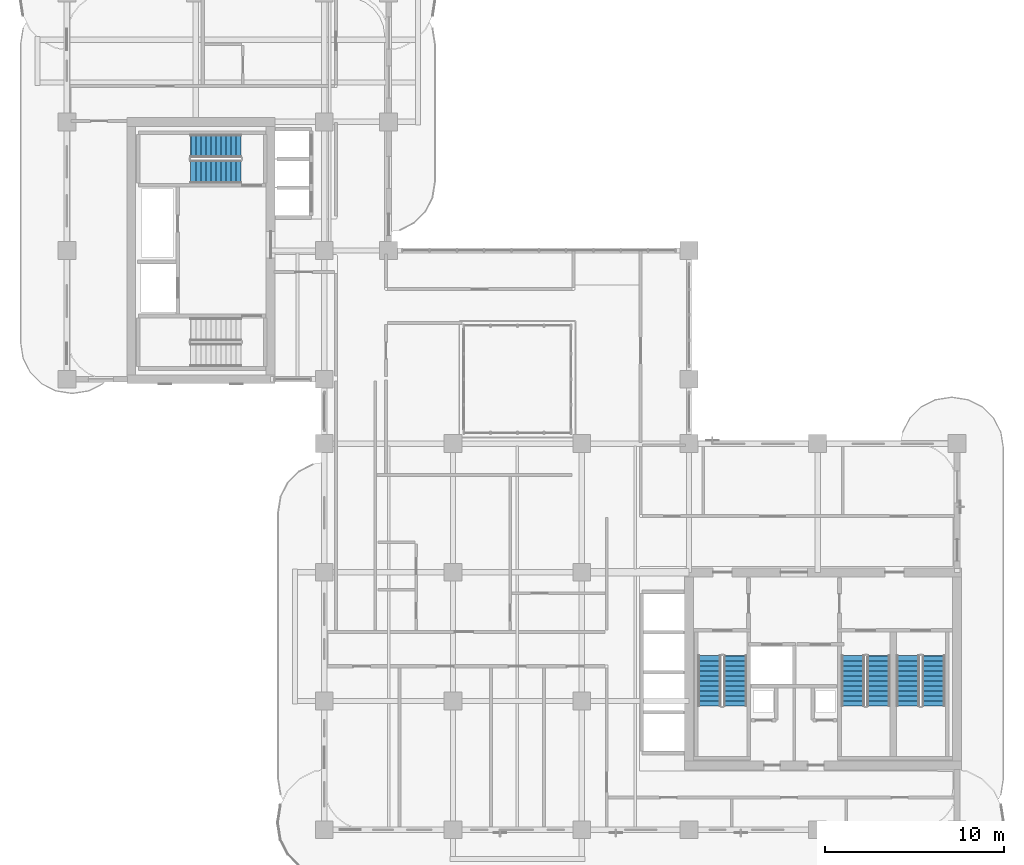
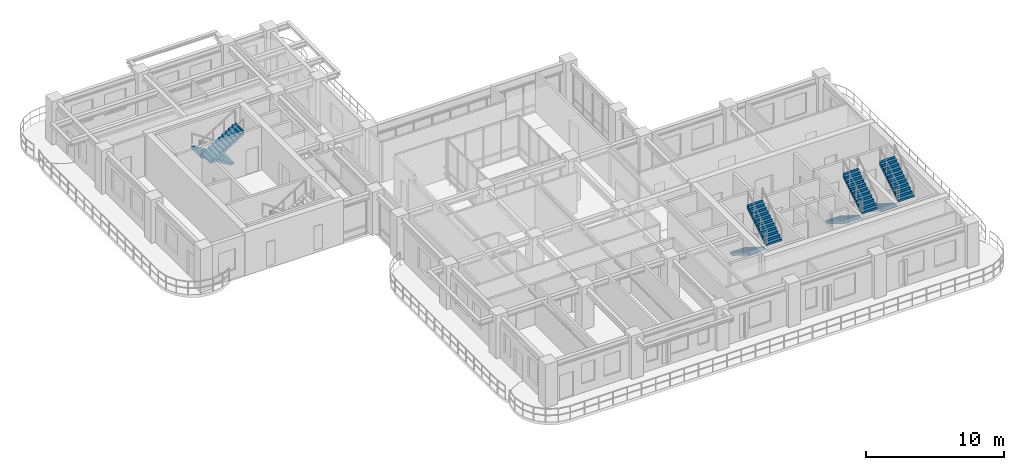
# One storey, part 16 of 21: 8 stair flights, 4 elements without a shape of their own.
"""IFC4 building model written with IfcOpenShell, lengths in metres."""

from ifc_helpers import new_model, si_unit, derived_unit, direction, frame, origin, place, context, subcontext, project, spatial, polyline, outline, extrude, source, transform, mapped, material, layer, layer_set, type_object, element, aggregate, save


model = new_model("IFC4")

# Units and contexts
model_context = context("Model", 3, precision=1e-05, world=origin(), true_north=direction((0.0, 1.0)))
body_context = subcontext(model_context, "Body", "Model", "MODEL_VIEW")
ifc_project = project(units=[si_unit("LENGTHUNIT", "METRE"), si_unit("AREAUNIT", "SQUARE_METRE"), si_unit("VOLUMEUNIT", "CUBIC_METRE"), si_unit("PLANEANGLEUNIT", "RADIAN"), si_unit("MASSUNIT", "GRAM", prefix="KILO"), si_unit("THERMODYNAMICTEMPERATUREUNIT", "KELVIN"), si_unit("POWERUNIT", "WATT"), derived_unit("THERMALTRANSMITTANCEUNIT", [(si_unit("POWERUNIT", "WATT"), 1), (si_unit("AREAUNIT", "SQUARE_METRE"), -1), (si_unit("THERMODYNAMICTEMPERATUREUNIT", "KELVIN"), -1)])], contexts=[model_context])

# Site, building, storey
site_placement = place(None, origin())
site = spatial("IfcSite", under=ifc_project, at=site_placement, CompositionType="ELEMENT")
building_placement = place(site_placement, origin())
building = spatial("IfcBuilding", under=site, at=building_placement, Name="Zahravan Archway Hotel and Residences", CompositionType="ELEMENT")
storey_placement = place(building_placement, frame((0.0, 0.0, 169.550048828125)))
storey = spatial("IfcBuildingStorey", under=building, at=storey_placement, Name="L42", CompositionType="ELEMENT", Elevation=169.550048828125)

# Stair, stair flights
ifc_material = material(Name="Concrete C50/60", Category="concrete")
stair_type = type_object("IfcStairType", Name="STR-CORE-1300", PredefinedType="HALF_TURN_STAIR", material=ifc_material)
stair_1_placement = place(storey_placement, origin())
stair_1 = element("IfcStair", 1, at=stair_1_placement, inside=storey, type_object=stair_type, Name="L42 Core A Exit Stair 1", PredefinedType="HALF_TURN_STAIR")
ifc_layer = layer(ifc_material, 0.199951171875, Name="Concrete C50/60", Category="concrete")
ifc_layer_set = layer_set([ifc_layer], Name="Concrete C50/60")
stair_flight_type = type_object("IfcStairFlightType", Name="SFL-CORE-1300", PredefinedType="STRAIGHT", material=ifc_layer_set)
shared_shape = source(origin(), body_context, "Body", "SweptSolid", [
    extrude(outline(polyline([(-0.01611328125, 0.0), (-0.01611328125, 0.175048828125), (0.280029296875, 0.175048828125), (0.280029296875, 0.35009765625), (0.56005859375, 0.35009765625), (0.56005859375, 0.52490234375), (0.840087890625, 0.52490234375), (0.840087890625, 0.699951171875), (1.1201171875, 0.699951171875), (1.1201171875, 0.875), (1.39990234375, 0.875), (1.39990234375, 1.050048828125), (1.679931640625, 1.050048828125), (1.679931640625, 1.22509765625), (1.9599609375, 1.22509765625), (1.9599609375, 1.39990234375), (2.239990234375, 1.39990234375), (2.239990234375, 1.574951171875), (2.52001953125, 1.574951171875), (2.52001953125, 1.75), (2.800048828125, 1.75), (2.800048828125, 1.925048828125), (2.816162109375, 1.925048828125), (2.816162109375, 1.5732421875), (0.28271484375, 0.0), (-0.01611328125, 0.0)])), frame((0.0, 0.64990234375, 0.0), z_axis=(0.0, -1.0, 0.0), x_axis=(1.0, 0.0, 0.0)), (0.0, 0.0, 1.0), 1.300048828125),
])
stair_flight_1_placement = place(storey_placement, frame((35.949951171875, 9.72998046875, 0.0), z_axis=(0.0, 0.0, 1.0), x_axis=(0.0, -1.0, 0.0)))
stair_flight_1 = element("IfcStairFlight", 2, at=stair_flight_1_placement, type_object=stair_flight_type, Name="ST-A1 flight 1", NumberOfRisers=11, NumberOfTreads=10, PredefinedType="STRAIGHT", RiserHeight=0.175, TreadLength=0.28, context=body_context, shape_type="MappedRepresentation", body=[
    mapped(shared_shape, transform((0.0, 0.0, 0.0), scale=1.0)),
])
stair_flight_2_placement = place(storey_placement, frame((37.389892578125, 6.929931640625, 1.925048828125), z_axis=(0.0, 0.0, 1.0), x_axis=(0.0, 1.0, 0.0)))
stair_flight_2 = element("IfcStairFlight", 3, at=stair_flight_2_placement, type_object=stair_flight_type, Name="ST-A1 flight 2", NumberOfRisers=11, NumberOfTreads=10, PredefinedType="STRAIGHT", RiserHeight=0.175, TreadLength=0.28, context=body_context, shape_type="MappedRepresentation", body=[
    mapped(shared_shape, transform((0.0, 0.0, 0.0), scale=1.0)),
])
aggregate(stair_1, [stair_flight_1, stair_flight_2])

stair_2_placement = place(storey_placement, origin())
stair_2 = element("IfcStair", 4, at=stair_2_placement, inside=storey, type_object=stair_type, Name="L42 Core A Exit Stair 2", PredefinedType="HALF_TURN_STAIR")
stair_flight_3_placement = place(storey_placement, frame((43.969970703125, 9.72998046875, 0.0), z_axis=(0.0, 0.0, 1.0), x_axis=(0.0, -1.0, 0.0)))
stair_flight_3 = element("IfcStairFlight", 5, at=stair_flight_3_placement, type_object=stair_flight_type, Name="ST-A2 flight 1", NumberOfRisers=11, NumberOfTreads=10, PredefinedType="STRAIGHT", RiserHeight=0.175, TreadLength=0.28, context=body_context, shape_type="MappedRepresentation", body=[
    mapped(shared_shape, transform((0.0, 0.0, 0.0), scale=1.0)),
])
stair_flight_4_placement = place(storey_placement, frame((45.409912109375, 6.929931640625, 1.925048828125), z_axis=(0.0, 0.0, 1.0), x_axis=(0.0, 1.0, 0.0)))
stair_flight_4 = element("IfcStairFlight", 6, at=stair_flight_4_placement, type_object=stair_flight_type, Name="ST-A2 flight 2", NumberOfRisers=11, NumberOfTreads=10, PredefinedType="STRAIGHT", RiserHeight=0.175, TreadLength=0.28, context=body_context, shape_type="MappedRepresentation", body=[
    mapped(shared_shape, transform((0.0, 0.0, 0.0), scale=1.0)),
])
aggregate(stair_2, [stair_flight_3, stair_flight_4])

stair_3_placement = place(storey_placement, origin())
stair_3 = element("IfcStair", 7, at=stair_3_placement, inside=storey, type_object=stair_type, Name="L42 Core A Exit Stair 3", PredefinedType="HALF_TURN_STAIR")
stair_flight_5_placement = place(storey_placement, frame((47.050048828125, 9.72998046875, 0.0), z_axis=(0.0, 0.0, 1.0), x_axis=(0.0, -1.0, 0.0)))
stair_flight_5 = element("IfcStairFlight", 8, at=stair_flight_5_placement, type_object=stair_flight_type, Name="ST-A3 flight 1", NumberOfRisers=11, NumberOfTreads=10, PredefinedType="STRAIGHT", RiserHeight=0.175, TreadLength=0.28, context=body_context, shape_type="MappedRepresentation", body=[
    mapped(shared_shape, transform((0.0, 0.0, 0.0), scale=1.0)),
])
stair_flight_6_placement = place(storey_placement, frame((48.489990234375, 6.929931640625, 1.925048828125), z_axis=(0.0, 0.0, 1.0), x_axis=(0.0, 1.0, 0.0)))
stair_flight_6 = element("IfcStairFlight", 9, at=stair_flight_6_placement, type_object=stair_flight_type, Name="ST-A3 flight 2", NumberOfRisers=11, NumberOfTreads=10, PredefinedType="STRAIGHT", RiserHeight=0.175, TreadLength=0.28, context=body_context, shape_type="MappedRepresentation", body=[
    mapped(shared_shape, transform((0.0, 0.0, 0.0), scale=1.0)),
])
aggregate(stair_3, [stair_flight_5, stair_flight_6])

stair_4_placement = place(storey_placement, origin())
stair_4 = element("IfcStair", 10, at=stair_4_placement, inside=storey, type_object=stair_type, Name="L42 Core B Exit Stair 2", PredefinedType="HALF_TURN_STAIR")
stair_flight_7_placement = place(storey_placement, frame((9.72998046875, 38.25, 0.0), z_axis=(0.0, 0.0, 1.0), x_axis=(-1.0, 0.0, 0.0)))
stair_flight_7 = element("IfcStairFlight", 11, at=stair_flight_7_placement, type_object=stair_flight_type, Name="ST-B2 flight 1", NumberOfRisers=11, NumberOfTreads=10, PredefinedType="STRAIGHT", RiserHeight=0.175, TreadLength=0.28, context=body_context, shape_type="MappedRepresentation", body=[
    mapped(shared_shape, transform((0.0, 0.0, 0.0), scale=1.0)),
])
stair_flight_8_placement = place(storey_placement, frame((6.929931640625, 36.81005859375, 1.925048828125), z_axis=(0.0, 0.0, 1.0), x_axis=(1.0, 0.0, 0.0)))
stair_flight_8 = element("IfcStairFlight", 12, at=stair_flight_8_placement, type_object=stair_flight_type, Name="ST-B2 flight 2", NumberOfRisers=11, NumberOfTreads=10, PredefinedType="STRAIGHT", RiserHeight=0.175, TreadLength=0.28, context=body_context, shape_type="MappedRepresentation", body=[
    mapped(shared_shape, transform((0.0, 0.0, 0.0), scale=1.0)),
])
aggregate(stair_4, [stair_flight_7, stair_flight_8])

save(model, "model.ifc")
